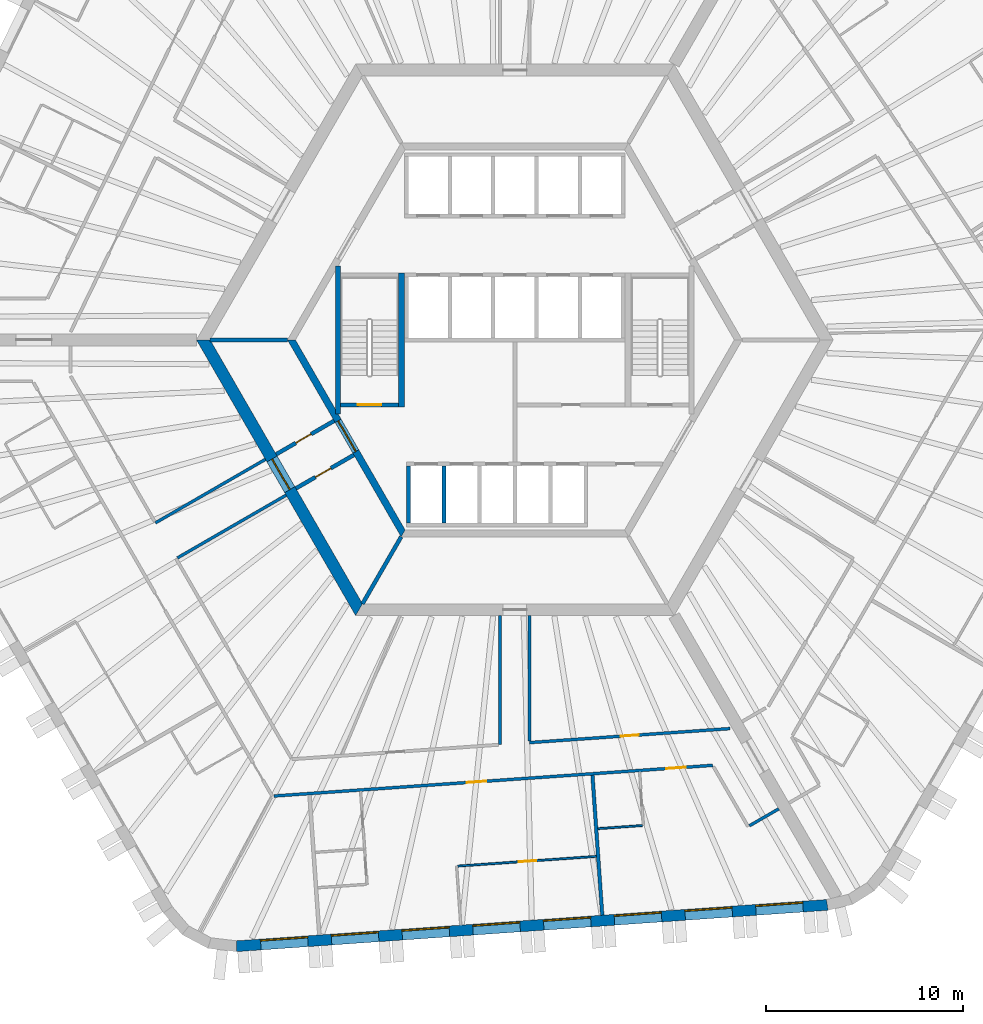
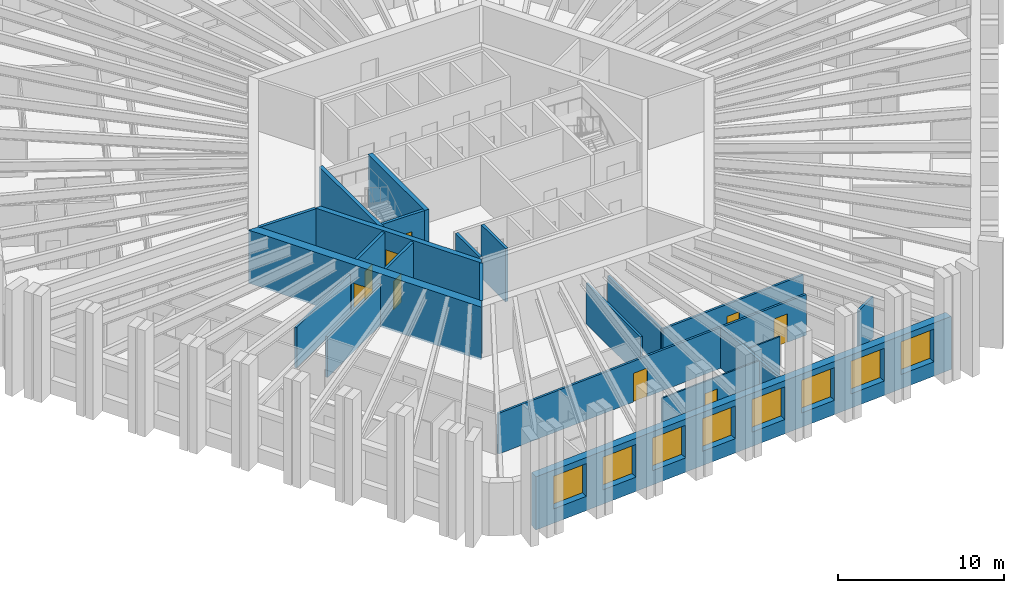
# One storey, part 4 of 13: 22 walls, 9 doors, 8 windows, 17 openings.
"""IFC4 building model written with IfcOpenShell, lengths in metres."""

from ifc_helpers import new_model, si_unit, direction, frame, frame_2d, origin, place, context, subcontext, project, spatial, polyline, rectangle, outline, extrude, material, layer, layer_set, type_object, element, fill, save


model = new_model("IFC4")

# Units and contexts
model_context = context("Model", 3, precision=1e-05, world=origin(), true_north=direction((0.0, 1.0)))
body_context = subcontext(model_context, "Body", "Model", "MODEL_VIEW")
ifc_project = project(units=[si_unit("LENGTHUNIT", "METRE"), si_unit("AREAUNIT", "SQUARE_METRE"), si_unit("VOLUMEUNIT", "CUBIC_METRE"), si_unit("PLANEANGLEUNIT", "RADIAN"), si_unit("MASSUNIT", "GRAM", prefix="KILO")], contexts=[model_context])

# Site, building, storey
site_placement = place(None, origin())
site = spatial("IfcSite", under=ifc_project, at=site_placement, CompositionType="ELEMENT")
building_placement = place(site_placement, origin())
building = spatial("IfcBuilding", under=site, at=building_placement, Name="Tarnside Tower", CompositionType="ELEMENT")
storey_placement = place(building_placement, frame((0.0, 0.0, 92.10009765625)))
storey = spatial("IfcBuildingStorey", under=building, at=storey_placement, Name="L20", CompositionType="ELEMENT", Elevation=92.10009765625)

# Wall
ifc_material_1 = material(Name="Gypsum board partition on steel studs", Category="steel")
ifc_layer_1 = layer(ifc_material_1, 0.10009765625)
ifc_layer_set_1 = layer_set([ifc_layer_1], Name="Bathroom wall 100")
wall_type_1 = type_object("IfcWallType", Name="Bathroom wall 100", PredefinedType="PARTITIONING", material=ifc_layer_set_1)
wall_1_placement = place(storey_placement, frame((6.474853515625, -24.658447265625, 0.0), z_axis=(0.0, 0.0, 1.0), x_axis=(-0.997562351999, -0.069780755754, 0.0)))
element("IfcWall", 1, at=wall_1_placement, inside=storey, type_object=wall_type_1, Name="Bathroom wall 06137", PredefinedType="PARTITIONING", context=body_context, shape_type="SweptSolid", body=[
    extrude(rectangle(XDim=2.26025390625, YDim=0.10009765625, at=frame_2d((1.130126953125, 0.0))), origin(), (0.0, 0.0, 1.0), 2.98779296875),
])

# Wall, opening, door
ifc_material_2 = material(Name="Concrete C50/60", Category="concrete")
ifc_layer_2 = layer(ifc_material_2, 0.35009765625)
ifc_layer_set_2 = layer_set([ifc_layer_2], Name="Core block wall 350 C50/60")
wall_type_2 = type_object("IfcWallType", Name="Core block wall 350 C50/60", PredefinedType="SHEAR", material=ifc_layer_set_2)
wall_2_placement = place(storey_placement, frame((-11.344970703125, 0.0, -0.150146484375), z_axis=(0.0, 0.0, 1.0), x_axis=(0.499995046907, -0.866028263435, 0.0)))
wall_2 = element("IfcWall", 2, at=wall_2_placement, inside=storey, type_object=wall_type_2, Name="L20 core block wall face 3", PredefinedType="SHEAR", context=body_context, shape_type="SweptSolid", body=[
    extrude(outline(polyline([(-0.10107421875, -0.175048828125), (11.44580078125, -0.175048828125), (11.24365234375, 0.175048828125), (0.10107421875, 0.175048828125), (-0.10107421875, -0.175048828125)])), origin(), (0.0, 0.0, 1.0), 3.900146484375),
])
opening_1_placement = place(wall_2_placement, frame((4.74365234375, 0.0, 0.14990234375)))
opening_1 = element("IfcOpeningElement", 3, at=opening_1_placement, cuts=wall_2, Name="Opening CD-FFL", PredefinedType="OPENING", context=body_context, shape_type="SweptSolid", body=[
    extrude(rectangle(XDim=1.800048828125, YDim=2.39990234375, at=frame_2d((0.89990234375, 1.199951171875))), frame((0.0, 0.18505859375, 0.0), z_axis=(0.0, -1.0, 0.0), x_axis=(1.0, 0.0, 0.0)), (0.0, 0.0, 1.0), 0.3701171875),
])
ifc_material_3 = material(Name="Steel fire door", Category="steel")
door_type_1 = type_object("IfcDoorType", Name="Firefighting lobby double door FD60S 1800x2400", OperationType="NOTDEFINED", PredefinedType="DOOR", material=ifc_material_3)
door_1_placement = place(opening_1_placement, origin())
door_1 = element("IfcDoor", 4, at=door_1_placement, inside=storey, type_object=door_type_1, Name="L20 lobby block door P3", OperationType="DOUBLE_DOOR_SINGLE_SWING", OverallHeight=2.39990234375, OverallWidth=1.800048828125, PredefinedType="DOOR", context=body_context, shape_type="SweptSolid", body=[
    extrude(rectangle(XDim=1.800048828125, YDim=2.39990234375, at=frame_2d((0.89990234375, 1.199951171875))), frame((0.0, 0.02490234375, 0.0), z_axis=(0.0, -1.0, 0.0), x_axis=(1.0, 0.0, 0.0)), (0.0, 0.0, 1.0), 0.050048828125),
])
fill(opening_1, door_1)

ifc_material_4 = material(Name="Concrete C40/50", Category="concrete")
ifc_layer_3 = layer(ifc_material_4, 0.199951171875)
ifc_layer_set_3 = layer_set([ifc_layer_3], Name="Core room partition 200 C40/50")
wall_type_3 = type_object("IfcWallType", Name="Core room partition 200 C40/50", PredefinedType="PARTITIONING", material=ifc_layer_set_3)
wall_3_placement = place(storey_placement, frame((-8.1748046875, -5.841064453125, 0.0), z_axis=(0.0, 0.0, 1.0), x_axis=(-0.866020560687, -0.500008388397, 0.0)))
wall_3 = element("IfcWall", 5, at=wall_3_placement, inside=storey, type_object=wall_type_3, Name="L20 core partition AC2L", PredefinedType="PARTITIONING", context=body_context, shape_type="SweptSolid", body=[
    extrude(rectangle(XDim=3.39990234375, YDim=0.199951171875, at=frame_2d((1.699951171875, 0.0))), origin(), (0.0, 0.0, 1.0), 3.64990234375),
])
opening_2_placement = place(wall_3_placement, frame((1.349609375, 0.0, 0.0)))
opening_2 = element("IfcOpeningElement", 6, at=opening_2_placement, cuts=wall_3, Name="Opening CD-room", PredefinedType="OPENING", context=body_context, shape_type="SweptSolid", body=[
    extrude(rectangle(XDim=0.89990234375, YDim=2.10009765625, at=frame_2d((0.449951171875, 1.050048828125))), frame((0.0, 0.10986328125, 0.0), z_axis=(0.0, -1.0, 0.0), x_axis=(1.0, 0.0, 0.0)), (0.0, 0.0, 1.0), 0.219970703125),
])
door_type_2 = type_object("IfcDoorType", Name="Room door FD60 900x2100", OperationType="NOTDEFINED", PredefinedType="DOOR", material=ifc_material_3)
door_2_placement = place(opening_2_placement, origin())
door_2 = element("IfcDoor", 7, at=door_2_placement, inside=storey, type_object=door_type_2, Name="L20 core room door AX2L", OperationType="SINGLE_SWING_LEFT", OverallHeight=2.10009765625, OverallWidth=0.89990234375, PredefinedType="DOOR", context=body_context, shape_type="SweptSolid", body=[
    extrude(rectangle(XDim=0.89990234375, YDim=2.10009765625, at=frame_2d((0.449951171875, 1.050048828125))), frame((0.0, 0.02490234375, 0.0), z_axis=(0.0, -1.0, 0.0), x_axis=(1.0, 0.0, 0.0)), (0.0, 0.0, 1.0), 0.050048828125),
])
fill(opening_2, door_2)

wall_4_placement = place(storey_placement, frame((-9.1748046875, -4.10888671875, 0.0), z_axis=(0.0, 0.0, 1.0), x_axis=(-0.865989465428, -0.500062241894, 0.0)))
wall_4 = element("IfcWall", 8, at=wall_4_placement, inside=storey, type_object=wall_type_3, Name="L20 core partition AC2R", PredefinedType="PARTITIONING", context=body_context, shape_type="SweptSolid", body=[
    extrude(rectangle(XDim=3.39990234375, YDim=0.199951171875, at=frame_2d((1.699951171875, 0.0))), origin(), (0.0, 0.0, 1.0), 3.64990234375),
])
opening_3_placement = place(wall_4_placement, frame((1.3505859375, 0.0, 0.0)))
opening_3 = element("IfcOpeningElement", 9, at=opening_3_placement, cuts=wall_4, Name="Opening CD-room", PredefinedType="OPENING", context=body_context, shape_type="SweptSolid", body=[
    extrude(rectangle(XDim=0.89990234375, YDim=2.10009765625, at=frame_2d((0.449951171875, 1.050048828125))), frame((0.0, 0.10986328125, 0.0), z_axis=(0.0, -1.0, 0.0), x_axis=(1.0, 0.0, 0.0)), (0.0, 0.0, 1.0), 0.219970703125),
])
door_3_placement = place(opening_3_placement, origin())
door_3 = element("IfcDoor", 10, at=door_3_placement, inside=storey, type_object=door_type_2, Name="L20 core room door AX2R", OperationType="SINGLE_SWING_LEFT", OverallHeight=2.10009765625, OverallWidth=0.89990234375, PredefinedType="DOOR", context=body_context, shape_type="SweptSolid", body=[
    extrude(rectangle(XDim=0.89990234375, YDim=2.10009765625, at=frame_2d((0.449951171875, 1.050048828125))), frame((0.0, 0.02490234375, 0.0), z_axis=(0.0, -1.0, 0.0), x_axis=(1.0, 0.0, 0.0)), (0.0, 0.0, 1.0), 0.050048828125),
])
fill(opening_3, door_3)

ifc_material_5 = material(Name="Concrete C80/95", Category="concrete")
ifc_layer_4 = layer(ifc_material_5, 0.60009765625)
ifc_layer_set_4 = layer_set([ifc_layer_4], Name="Core wall Z1 600 C80/95")
wall_type_4 = type_object("IfcWallType", Name="Core wall Z1 600 C80/95", PredefinedType="SHEAR", material=ifc_layer_set_4)
wall_5_placement = place(storey_placement, frame((-15.8193359375, 0.0, -0.150146484375), z_axis=(0.0, 0.0, 1.0), x_axis=(0.499999880136, -0.866025472988, 0.0)))
wall_5 = element("IfcWall", 11, at=wall_5_placement, inside=storey, type_object=wall_type_4, Name="L20 core wall face 3", PredefinedType="SHEAR", context=body_context, shape_type="SweptSolid", body=[
    extrude(outline(polyline([(-0.17333984375, -0.300048828125), (15.99267578125, -0.300048828125), (15.64599609375, 0.300048828125), (0.17333984375, 0.300048828125), (-0.17333984375, -0.300048828125)])), origin(), (0.0, 0.0, 1.0), 3.900146484375),
])
opening_4_placement = place(wall_5_placement, frame((6.980712890625, 0.0, 0.14990234375)))
opening_4 = element("IfcOpeningElement", 12, at=opening_4_placement, cuts=wall_5, Name="Opening CD-FFL", PredefinedType="OPENING", context=body_context, shape_type="SweptSolid", body=[
    extrude(rectangle(XDim=1.800048828125, YDim=2.39990234375, at=frame_2d((0.89990234375, 1.199951171875))), frame((0.0, 0.31005859375, 0.0), z_axis=(0.0, -1.0, 0.0), x_axis=(1.0, 0.0, 0.0)), (0.0, 0.0, 1.0), 0.6201171875),
])
door_4_placement = place(opening_4_placement, origin())
door_4 = element("IfcDoor", 13, at=door_4_placement, inside=storey, type_object=door_type_1, Name="L20 core door P3", OperationType="DOUBLE_DOOR_SINGLE_SWING", OverallHeight=2.39990234375, OverallWidth=1.800048828125, PredefinedType="DOOR", context=body_context, shape_type="SweptSolid", body=[
    extrude(rectangle(XDim=1.800048828125, YDim=2.39990234375, at=frame_2d((0.89990234375, 1.199951171875))), frame((0.0, 0.02490234375, 0.0), z_axis=(0.0, -1.0, 0.0), x_axis=(1.0, 0.0, 0.0)), (0.0, 0.0, 1.0), 0.050048828125),
])
fill(opening_4, door_4)

# Wall, openings, doors
ifc_layer_5 = layer(ifc_material_1, 0.14990234375)
ifc_layer_set_5 = layer_set([ifc_layer_5], Name="Corridor wall 150 EI 60")
wall_type_5 = type_object("IfcWallType", Name="Corridor wall 150 EI 60", PredefinedType="PARTITIONING", material=ifc_layer_set_5)
wall_6_placement = place(storey_placement, frame((-12.234130859375, -23.159912109375, 0.0), z_axis=(0.0, 0.0, 1.0), x_axis=(0.997563845372, 0.069759403714, 0.0)))
wall_6 = element("IfcWall", 14, at=wall_6_placement, inside=storey, type_object=wall_type_5, Name="Corridor wall 06033", PredefinedType="PARTITIONING", context=body_context, shape_type="SweptSolid", body=[
    extrude(rectangle(XDim=22.33544921875, YDim=0.14990234375, at=frame_2d((11.167724609375, 0.0))), origin(), (0.0, 0.0, 1.0), 2.98779296875),
])
opening_5_placement = place(wall_6_placement, frame((9.808837890625, 0.0, 0.0)))
opening_5 = element("IfcOpeningElement", 15, at=opening_5_placement, cuts=wall_6, Name="Opening D-E1", PredefinedType="OPENING", context=body_context, shape_type="SweptSolid", body=[
    extrude(rectangle(XDim=1.0, YDim=2.10009765625, at=frame_2d((0.5, 1.050048828125))), frame((0.0, 0.0849609375, 0.0), z_axis=(0.0, -1.0, 0.0), x_axis=(1.0, 0.0, 0.0)), (0.0, 0.0, 1.0), 0.169921875),
])
opening_6_placement = place(wall_6_placement, frame((19.97216796875, 0.0, 0.0)))
opening_6 = element("IfcOpeningElement", 16, at=opening_6_placement, cuts=wall_6, Name="Opening D-E1", PredefinedType="OPENING", context=body_context, shape_type="SweptSolid", body=[
    extrude(rectangle(XDim=1.0, YDim=2.10009765625, at=frame_2d((0.5, 1.050048828125))), frame((0.0, 0.0849609375, 0.0), z_axis=(0.0, -1.0, 0.0), x_axis=(1.0, 0.0, 0.0)), (0.0, 0.0, 1.0), 0.169921875),
])
ifc_material_6 = material(Name="Timber door leaf", Category="wood")
door_type_3 = type_object("IfcDoorType", Name="Unit entrance door 1000 FD30S", OperationType="NOTDEFINED", PredefinedType="DOOR", material=ifc_material_6)
door_5_placement = place(opening_5_placement, origin())
door_5 = element("IfcDoor", 17, at=door_5_placement, inside=storey, type_object=door_type_3, Name="Unit door 06024", OperationType="SINGLE_SWING_RIGHT", OverallHeight=2.10009765625, OverallWidth=1.0, PredefinedType="DOOR", context=body_context, shape_type="SweptSolid", body=[
    extrude(rectangle(XDim=1.0, YDim=2.10009765625, at=frame_2d((0.5, 1.050048828125))), frame((0.0, 0.02490234375, 0.0), z_axis=(0.0, -1.0, 0.0), x_axis=(1.0, 0.0, 0.0)), (0.0, 0.0, 1.0), 0.050048828125),
])
fill(opening_5, door_5)
door_6_placement = place(opening_6_placement, origin())
door_6 = element("IfcDoor", 18, at=door_6_placement, inside=storey, type_object=door_type_3, Name="Unit door 06028", OperationType="SINGLE_SWING_LEFT", OverallHeight=2.10009765625, OverallWidth=1.0, PredefinedType="DOOR", context=body_context, shape_type="SweptSolid", body=[
    extrude(rectangle(XDim=1.0, YDim=2.10009765625, at=frame_2d((0.5, 1.050048828125))), frame((0.0, 0.02490234375, 0.0), z_axis=(0.0, -1.0, 0.0), x_axis=(1.0, 0.0, 0.0)), (0.0, 0.0, 1.0), 0.050048828125),
])
fill(opening_6, door_6)

# Walls
wall_7_placement = place(storey_placement, frame((11.906494140625, -24.672607421875, 0.0), z_axis=(0.0, 0.0, 1.0), x_axis=(0.866013532718, 0.500020560727, 0.0)))
element("IfcWall", 19, at=wall_7_placement, inside=storey, type_object=wall_type_5, Name="Corridor wall 06038", PredefinedType="PARTITIONING", context=body_context, shape_type="SweptSolid", body=[
    extrude(rectangle(XDim=1.72509765625, YDim=0.14990234375, at=frame_2d((0.862548828125, 0.0))), origin(), (0.0, 0.0, 1.0), 2.98779296875),
])
wall_8_placement = place(storey_placement, frame((-12.663818359375, -6.065673828125, 0.0), z_axis=(0.0, 0.0, 1.0), x_axis=(-0.866021702275, -0.500006411147, 0.0)))
element("IfcWall", 20, at=wall_8_placement, inside=storey, type_object=wall_type_5, Name="Corridor wall 06040", PredefinedType="PARTITIONING", context=body_context, shape_type="SweptSolid", body=[
    extrude(rectangle(XDim=6.4501953125, YDim=0.14990234375, at=frame_2d((3.22509765625, 0.0))), origin(), (0.0, 0.0, 1.0), 2.98779296875),
])
wall_9_placement = place(storey_placement, frame((-0.75, -14.0, 0.0), z_axis=(0.0, 0.0, 1.0), x_axis=(0.0, -1.0, 0.0)))
element("IfcWall", 21, at=wall_9_placement, inside=storey, type_object=wall_type_5, Name="Corridor wall 06043", PredefinedType="PARTITIONING", context=body_context, shape_type="SweptSolid", body=[
    extrude(rectangle(XDim=6.552490234375, YDim=0.14990234375, at=frame_2d((3.2763671875, 0.0))), origin(), (0.0, 0.0, 1.0), 2.98779296875),
])
wall_10_placement = place(storey_placement, frame((-17.134765625, -11.07177734375, 0.0), z_axis=(0.0, 0.0, 1.0), x_axis=(0.866028703517, 0.499994284652, 0.0)))
element("IfcWall", 22, at=wall_10_placement, inside=storey, type_object=wall_type_5, Name="Corridor wall 06047", PredefinedType="PARTITIONING", context=body_context, shape_type="SweptSolid", body=[
    extrude(rectangle(XDim=6.375, YDim=0.14990234375, at=frame_2d((3.1875, 0.0))), origin(), (0.0, 0.0, 1.0), 2.98779296875),
])

# Wall, opening, door
wall_11_placement = place(storey_placement, frame((10.921142578125, -19.736328125, 0.0), z_axis=(0.0, 0.0, 1.0), x_axis=(-0.997564418338, -0.069751209779, 0.0)))
wall_11 = element("IfcWall", 23, at=wall_11_placement, inside=storey, type_object=wall_type_5, Name="Corridor wall 06048", PredefinedType="PARTITIONING", context=body_context, shape_type="SweptSolid", body=[
    extrude(rectangle(XDim=10.196044921875, YDim=0.14990234375, at=frame_2d((5.09814453125, 0.0))), origin(), (0.0, 0.0, 1.0), 2.98779296875),
])
opening_7_placement = place(wall_11_placement, frame((4.64794921875, 0.0, 0.0)))
opening_7 = element("IfcOpeningElement", 24, at=opening_7_placement, cuts=wall_11, Name="Opening D-S1", PredefinedType="OPENING", context=body_context, shape_type="SweptSolid", body=[
    extrude(rectangle(XDim=0.89990234375, YDim=2.10009765625, at=frame_2d((0.449951171875, 1.050048828125))), frame((0.0, 0.0849609375, 0.0), z_axis=(0.0, -1.0, 0.0), x_axis=(1.0, 0.0, 0.0)), (0.0, 0.0, 1.0), 0.169921875),
])
door_type_4 = type_object("IfcDoorType", Name="Service room door 900 FD30S", OperationType="NOTDEFINED", PredefinedType="DOOR", material=ifc_material_6)
door_7_placement = place(opening_7_placement, origin())
door_7 = element("IfcDoor", 25, at=door_7_placement, inside=storey, type_object=door_type_4, Name="Service door 06049", OperationType="SINGLE_SWING_LEFT", OverallHeight=2.10009765625, OverallWidth=0.89990234375, PredefinedType="DOOR", context=body_context, shape_type="SweptSolid", body=[
    extrude(rectangle(XDim=0.89990234375, YDim=2.10009765625, at=frame_2d((0.449951171875, 1.050048828125))), frame((0.0, 0.02490234375, 0.0), z_axis=(0.0, -1.0, 0.0), x_axis=(1.0, 0.0, 0.0)), (0.0, 0.0, 1.0), 0.050048828125),
])
fill(opening_7, door_7)

# Walls
wall_12_placement = place(storey_placement, frame((0.75, -20.372314453125, 0.0), z_axis=(0.0, 0.0, 1.0), x_axis=(0.0, 1.0, 0.0)))
element("IfcWall", 26, at=wall_12_placement, inside=storey, type_object=wall_type_5, Name="Corridor wall 06049", PredefinedType="PARTITIONING", context=body_context, shape_type="SweptSolid", body=[
    extrude(rectangle(XDim=6.372314453125, YDim=0.14990234375, at=frame_2d((3.18603515625, 0.0))), origin(), (0.0, 0.0, 1.0), 2.98779296875),
])
ifc_layer_6 = layer(ifc_material_1, 0.179931640625)
ifc_layer_set_6 = layer_set([ifc_layer_6], Name="Demising wall 180 EI 60")
wall_type_6 = type_object("IfcWallType", Name="Demising wall 180 EI 60", PredefinedType="PARTITIONING", material=ifc_layer_set_6)
wall_13_placement = place(storey_placement, frame((4.4375, -29.211669921875, 0.0), z_axis=(0.0, 0.0, 1.0), x_axis=(-0.069764000094, 0.997563523938, 0.0)))
element("IfcWall", 27, at=wall_13_placement, inside=storey, type_object=wall_type_6, Name="Demising wall 06132", PredefinedType="PARTITIONING", context=body_context, shape_type="SweptSolid", body=[
    extrude(rectangle(XDim=7.125, YDim=0.179931640625, at=frame_2d((3.5625, 0.0))), origin(), (0.0, 0.0, 1.0), 2.98779296875),
])
ifc_layer_7 = layer(ifc_material_4, 0.199951171875)
ifc_layer_set_7 = layer_set([ifc_layer_7], Name="Lift shaft wall 200 C40/50")
wall_type_7 = type_object("IfcWallType", Name="Lift shaft wall 200 C40/50", PredefinedType="SHEAR", material=ifc_layer_set_7)
for number, where, z_axis, x_axis, name in (
    (28, (-5.39990234375, -9.300048828125, -0.25), (0.0, 0.0, 1.0), (0.0, 1.0, 0.0), "L20 lift shaft partition R41"),
    (29, (-3.60009765625, -9.300048828125, -0.25), (0.0, 0.0, 1.0), (0.0, 1.0, 0.0), "L20 lift shaft partition R42"),
):
    element("IfcWall", number, at=place(storey_placement, frame(where, z_axis=z_axis, x_axis=x_axis)), inside=storey, type_object=wall_type_7, Name=name, PredefinedType="SHEAR", context=body_context, shape_type="SweptSolid", body=[
        extrude(rectangle(XDim=2.900146484375, YDim=0.199951171875, at=frame_2d((1.4501953125, 0.0))), origin(), (0.0, 0.0, 1.0), 3.89990234375),
    ])
wall_14_placement = place(storey_placement, frame((-11.547119140625, 0.0, -0.150146484375), z_axis=(0.0, 0.0, 1.0), x_axis=(-1.0, 0.0, 0.0)))
element("IfcWall", 30, at=wall_14_placement, inside=storey, type_object=wall_type_7, Name="L20 core partition AR180", PredefinedType="SHEAR", context=body_context, shape_type="SweptSolid", body=[
    extrude(rectangle(XDim=3.92578125, YDim=0.199951171875, at=frame_2d((1.962890625, 0.0))), origin(), (0.0, 0.0, 1.0), 3.900146484375),
])
wall_15_placement = place(storey_placement, frame((-5.7734375, -10.0, -0.150146484375), z_axis=(0.0, 0.0, 1.0), x_axis=(-0.500038251005, -0.86600331843, 0.0)))
element("IfcWall", 31, at=wall_15_placement, inside=storey, type_object=wall_type_7, Name="L20 core partition AR240", PredefinedType="SHEAR", context=body_context, shape_type="SweptSolid", body=[
    extrude(rectangle(XDim=3.926025390625, YDim=0.199951171875, at=frame_2d((1.962890625, 0.0))), origin(), (0.0, 0.0, 1.0), 3.900146484375),
])

# Wall, opening, door
wall_16_placement = place(storey_placement, frame((-8.85009765625, -3.300048828125, -0.25), z_axis=(0.0, 0.0, 1.0), x_axis=(1.0, 0.0, 0.0)))
wall_16 = element("IfcWall", 32, at=wall_16_placement, inside=storey, type_object=wall_type_7, Name="L20 stair 2 enclosure cap wall s", PredefinedType="SHEAR", context=body_context, shape_type="SweptSolid", body=[
    extrude(rectangle(XDim=2.9501953125, YDim=0.199951171875, at=frame_2d((1.47509765625, 0.0))), origin(), (0.0, 0.0, 1.0), 3.89990234375),
])
opening_8_placement = place(wall_16_placement, frame((0.875, 0.0, 0.25)))
opening_8 = element("IfcOpeningElement", 33, at=opening_8_placement, cuts=wall_16, Name="Opening CD-STR", PredefinedType="OPENING", context=body_context, shape_type="SweptSolid", body=[
    extrude(rectangle(XDim=1.199951171875, YDim=2.39990234375, at=frame_2d((0.60009765625, 1.199951171875))), frame((0.0, 0.10986328125, 0.0), z_axis=(0.0, -1.0, 0.0), x_axis=(1.0, 0.0, 0.0)), (0.0, 0.0, 1.0), 0.219970703125),
])
door_type_5 = type_object("IfcDoorType", Name="Stair door FD60S 1200x2400", OperationType="NOTDEFINED", PredefinedType="DOOR", material=ifc_material_3)
door_8_placement = place(opening_8_placement, origin())
door_8 = element("IfcDoor", 34, at=door_8_placement, inside=storey, type_object=door_type_5, Name="L20 stair 2 door", OperationType="SINGLE_SWING_LEFT", OverallHeight=2.39990234375, OverallWidth=1.199951171875, PredefinedType="DOOR", context=body_context, shape_type="SweptSolid", body=[
    extrude(rectangle(XDim=1.199951171875, YDim=2.39990234375, at=frame_2d((0.60009765625, 1.199951171875))), frame((0.0, 0.02490234375, 0.0), z_axis=(0.0, -1.0, 0.0), x_axis=(1.0, 0.0, 0.0)), (0.0, 0.0, 1.0), 0.050048828125),
])
fill(opening_8, door_8)

ifc_layer_8 = layer(ifc_material_1, 0.10009765625)
ifc_layer_set_8 = layer_set([ifc_layer_8], Name="Partition 100")
wall_type_8 = type_object("IfcWallType", Name="Partition 100", PredefinedType="PARTITIONING", material=ifc_layer_set_8)
wall_17_placement = place(storey_placement, frame((-2.904541015625, -26.7177734375, 0.0), z_axis=(0.0, 0.0, 1.0), x_axis=(0.997562242002, 0.069782328216, 0.0)))
wall_17 = element("IfcWall", 35, at=wall_17_placement, inside=storey, type_object=wall_type_8, Name="Partition wall 06131", PredefinedType="PARTITIONING", context=body_context, shape_type="SweptSolid", body=[
    extrude(rectangle(XDim=7.06005859375, YDim=0.10009765625, at=frame_2d((3.530029296875, 0.0))), origin(), (0.0, 0.0, 1.0), 2.98779296875),
])
opening_9_placement = place(wall_17_placement, frame((3.10009765625, 0.0, 0.0)))
opening_9 = element("IfcOpeningElement", 36, at=opening_9_placement, cuts=wall_17, Name="Opening D-I1", PredefinedType="OPENING", context=body_context, shape_type="SweptSolid", body=[
    extrude(rectangle(XDim=0.89990234375, YDim=2.10009765625, at=frame_2d((0.449951171875, 1.050048828125))), frame((0.0, 0.06005859375, 0.0), z_axis=(0.0, -1.0, 0.0), x_axis=(1.0, 0.0, 0.0)), (0.0, 0.0, 1.0), 0.1201171875),
])
door_type_6 = type_object("IfcDoorType", Name="Internal door 900", OperationType="NOTDEFINED", PredefinedType="DOOR", material=ifc_material_6)
door_9_placement = place(opening_9_placement, origin())
door_9 = element("IfcDoor", 37, at=door_9_placement, inside=storey, type_object=door_type_6, Name="Internal door 06027", OperationType="SINGLE_SWING_RIGHT", OverallHeight=2.10009765625, OverallWidth=0.89990234375, PredefinedType="DOOR", context=body_context, shape_type="SweptSolid", body=[
    extrude(rectangle(XDim=0.89990234375, YDim=2.10009765625, at=frame_2d((0.449951171875, 1.050048828125))), frame((0.0, 0.02490234375, 0.0), z_axis=(0.0, -1.0, 0.0), x_axis=(1.0, 0.0, 0.0)), (0.0, 0.0, 1.0), 0.050048828125),
])
fill(opening_9, door_9)

# Walls
ifc_layer_9 = layer(ifc_material_4, 0.25)
ifc_layer_set_9 = layer_set([ifc_layer_9], Name="Stair enclosure wall 250 C40/50")
wall_type_9 = type_object("IfcWallType", Name="Stair enclosure wall 250 C40/50", PredefinedType="SHEAR", material=ifc_layer_set_9)
wall_18_placement = place(storey_placement, frame((-8.97509765625, -3.7548828125, -0.25), z_axis=(0.0, 0.0, 1.0), x_axis=(0.0, 1.0, 0.0)))
element("IfcWall", 38, at=wall_18_placement, inside=storey, type_object=wall_type_9, Name="L20 stair 2 enclosure wall outer", PredefinedType="SHEAR", context=body_context, shape_type="SweptSolid", body=[
    extrude(rectangle(XDim=7.509765625, YDim=0.25, at=frame_2d((3.7548828125, 0.0))), origin(), (0.0, 0.0, 1.0), 3.89990234375),
])
ifc_layer_10 = layer(ifc_material_4, 0.300048828125)
ifc_layer_set_10 = layer_set([ifc_layer_10], Name="Stair enclosure wall 300 C40/50")
wall_type_10 = type_object("IfcWallType", Name="Stair enclosure wall 300 C40/50", PredefinedType="SHEAR", material=ifc_layer_set_10)
wall_19_placement = place(storey_placement, frame((-5.75, -3.39990234375, -0.25), z_axis=(0.0, 0.0, 1.0), x_axis=(0.0, 1.0, 0.0)))
element("IfcWall", 39, at=wall_19_placement, inside=storey, type_object=wall_type_10, Name="L20 stair 2 enclosure wall inner", PredefinedType="SHEAR", context=body_context, shape_type="SweptSolid", body=[
    extrude(rectangle(XDim=6.7998046875, YDim=0.300048828125, at=frame_2d((3.39990234375, 0.0))), origin(), (0.0, 0.0, 1.0), 3.89990234375),
])

# Wall, openings, windows
ifc_material_7 = material(Name="Facing brick", Category="masonry")
ifc_layer_11 = layer(ifc_material_7, 0.10205078125)
ifc_material_8 = material(Name="Concrete C60/75 precast", Category="concrete")
ifc_layer_12 = layer(ifc_material_8, 0.347900390625)
ifc_material_9 = material(Name="Mineral wool insulation")
ifc_layer_13 = layer(ifc_material_9, 0.10009765625)
ifc_layer_set_11 = layer_set([ifc_layer_11, ifc_layer_12, ifc_layer_13], Name="Tube wall 550 brick faced")
wall_type_11 = type_object("IfcWallType", Name="Tube wall 550 brick faced", PredefinedType="SOLIDWALL", material=ifc_layer_set_11)
wall_20_placement = place(storey_placement, frame((-14.133544921875, -30.785888671875, -0.150146484375), z_axis=(0.0, 0.0, 1.0), x_axis=(0.997564037441, 0.069756657061, 0.0)))
wall_20 = element("IfcWall", 40, at=wall_20_placement, inside=storey, type_object=wall_type_11, Name="Tube wall L20 F4 flush 12", PredefinedType="SOLIDWALL", context=body_context, shape_type="SweptSolid", body=[
    extrude(outline(polyline([(-0.025634765625, -0.27490234375), (30.093505859375, -0.27490234375), (30.048583984375, 0.27490234375), (0.025634765625, 0.27490234375), (-0.025634765625, -0.27490234375)])), origin(), (0.0, 0.0, 1.0), 3.900146484375),
])
opening_10_placement = place(wall_20_placement, frame((1.235595703125, 0.0, 1.050048828125)))
opening_10 = element("IfcOpeningElement", 41, at=opening_10_placement, cuts=wall_20, Name="Opening WH", PredefinedType="OPENING", context=body_context, shape_type="SweptSolid", body=[
    extrude(rectangle(XDim=2.39990234375, YDim=2.39990234375, at=frame_2d((1.199951171875, 1.199951171875))), frame((0.0, 0.28515625, 0.0), z_axis=(0.0, -1.0, 0.0), x_axis=(1.0, 0.0, 0.0)), (0.0, 0.0, 1.0), 0.570068359375),
])
opening_11_placement = place(wall_20_placement, frame((4.83544921875, 0.0, 1.050048828125)))
opening_11 = element("IfcOpeningElement", 42, at=opening_11_placement, cuts=wall_20, Name="Opening WH", PredefinedType="OPENING", context=body_context, shape_type="SweptSolid", body=[
    extrude(rectangle(XDim=2.39990234375, YDim=2.39990234375, at=frame_2d((1.199951171875, 1.199951171875))), frame((0.0, 0.28515625, 0.0), z_axis=(0.0, -1.0, 0.0), x_axis=(1.0, 0.0, 0.0)), (0.0, 0.0, 1.0), 0.570068359375),
])
opening_12_placement = place(wall_20_placement, frame((8.435546875, 0.0, 1.050048828125)))
opening_12 = element("IfcOpeningElement", 43, at=opening_12_placement, cuts=wall_20, Name="Opening WH", PredefinedType="OPENING", context=body_context, shape_type="SweptSolid", body=[
    extrude(rectangle(XDim=2.39990234375, YDim=2.39990234375, at=frame_2d((1.199951171875, 1.199951171875))), frame((0.0, 0.28515625, 0.0), z_axis=(0.0, -1.0, 0.0), x_axis=(1.0, 0.0, 0.0)), (0.0, 0.0, 1.0), 0.570068359375),
])
opening_13_placement = place(wall_20_placement, frame((12.035400390625, 0.0, 1.050048828125)))
opening_13 = element("IfcOpeningElement", 44, at=opening_13_placement, cuts=wall_20, Name="Opening WH", PredefinedType="OPENING", context=body_context, shape_type="SweptSolid", body=[
    extrude(rectangle(XDim=2.39990234375, YDim=2.39990234375, at=frame_2d((1.199951171875, 1.199951171875))), frame((0.0, 0.28515625, 0.0), z_axis=(0.0, -1.0, 0.0), x_axis=(1.0, 0.0, 0.0)), (0.0, 0.0, 1.0), 0.570068359375),
])
opening_14_placement = place(wall_20_placement, frame((15.635498046875, 0.0, 1.050048828125)))
opening_14 = element("IfcOpeningElement", 45, at=opening_14_placement, cuts=wall_20, Name="Opening WH", PredefinedType="OPENING", context=body_context, shape_type="SweptSolid", body=[
    extrude(rectangle(XDim=2.39990234375, YDim=2.39990234375, at=frame_2d((1.199951171875, 1.199951171875))), frame((0.0, 0.28515625, 0.0), z_axis=(0.0, -1.0, 0.0), x_axis=(1.0, 0.0, 0.0)), (0.0, 0.0, 1.0), 0.570068359375),
])
opening_15_placement = place(wall_20_placement, frame((19.235595703125, 0.0, 1.050048828125)))
opening_15 = element("IfcOpeningElement", 46, at=opening_15_placement, cuts=wall_20, Name="Opening WH", PredefinedType="OPENING", context=body_context, shape_type="SweptSolid", body=[
    extrude(rectangle(XDim=2.39990234375, YDim=2.39990234375, at=frame_2d((1.199951171875, 1.199951171875))), frame((0.0, 0.28515625, 0.0), z_axis=(0.0, -1.0, 0.0), x_axis=(1.0, 0.0, 0.0)), (0.0, 0.0, 1.0), 0.570068359375),
])
opening_16_placement = place(wall_20_placement, frame((22.83544921875, 0.0, 1.050048828125)))
opening_16 = element("IfcOpeningElement", 47, at=opening_16_placement, cuts=wall_20, Name="Opening WH", PredefinedType="OPENING", context=body_context, shape_type="SweptSolid", body=[
    extrude(rectangle(XDim=2.39990234375, YDim=2.39990234375, at=frame_2d((1.199951171875, 1.199951171875))), frame((0.0, 0.28515625, 0.0), z_axis=(0.0, -1.0, 0.0), x_axis=(1.0, 0.0, 0.0)), (0.0, 0.0, 1.0), 0.570068359375),
])
opening_17_placement = place(wall_20_placement, frame((26.435546875, 0.0, 1.050048828125)))
opening_17 = element("IfcOpeningElement", 48, at=opening_17_placement, cuts=wall_20, Name="Opening WH", PredefinedType="OPENING", context=body_context, shape_type="SweptSolid", body=[
    extrude(rectangle(XDim=2.39990234375, YDim=2.39990234375, at=frame_2d((1.199951171875, 1.199951171875))), frame((0.0, 0.28515625, 0.0), z_axis=(0.0, -1.0, 0.0), x_axis=(1.0, 0.0, 0.0)), (0.0, 0.0, 1.0), 0.570068359375),
])
ifc_material_10 = material(Name="Aluminium-framed double glazing", Category="aluminium")
window_type = type_object("IfcWindowType", Name="Hotel window 2400 x 2400", PartitioningType="DOUBLE_PANEL_VERTICAL", PredefinedType="WINDOW", material=ifc_material_10)
window_1_placement = place(opening_10_placement, frame((0.0, 0.205078125, 0.0)))
window_1 = element("IfcWindow", 49, at=window_1_placement, inside=storey, type_object=window_type, Name="E.WN.L20.F4.00", OverallHeight=2.39990234375, OverallWidth=2.39990234375, PartitioningType="DOUBLE_PANEL_VERTICAL", PredefinedType="WINDOW", context=body_context, shape_type="SweptSolid", body=[
    extrude(rectangle(XDim=2.39990234375, YDim=2.39990234375, at=frame_2d((1.199951171875, 1.199951171875))), frame((0.0, 0.030029296875, 0.0), z_axis=(0.0, -1.0, 0.0), x_axis=(1.0, 0.0, 0.0)), (0.0, 0.0, 1.0), 0.06005859375),
])
fill(opening_10, window_1)
window_2_placement = place(opening_11_placement, frame((0.0, 0.205078125, 0.0)))
window_2 = element("IfcWindow", 50, at=window_2_placement, inside=storey, type_object=window_type, Name="E.WN.L20.F4.01", OverallHeight=2.39990234375, OverallWidth=2.39990234375, PartitioningType="DOUBLE_PANEL_VERTICAL", PredefinedType="WINDOW", context=body_context, shape_type="SweptSolid", body=[
    extrude(rectangle(XDim=2.39990234375, YDim=2.39990234375, at=frame_2d((1.199951171875, 1.199951171875))), frame((0.0, 0.030029296875, 0.0), z_axis=(0.0, -1.0, 0.0), x_axis=(1.0, 0.0, 0.0)), (0.0, 0.0, 1.0), 0.06005859375),
])
fill(opening_11, window_2)
window_3_placement = place(opening_12_placement, frame((0.0, 0.205078125, 0.0)))
window_3 = element("IfcWindow", 51, at=window_3_placement, inside=storey, type_object=window_type, Name="E.WN.L20.F4.02", OverallHeight=2.39990234375, OverallWidth=2.39990234375, PartitioningType="DOUBLE_PANEL_VERTICAL", PredefinedType="WINDOW", context=body_context, shape_type="SweptSolid", body=[
    extrude(rectangle(XDim=2.39990234375, YDim=2.39990234375, at=frame_2d((1.199951171875, 1.199951171875))), frame((0.0, 0.030029296875, 0.0), z_axis=(0.0, -1.0, 0.0), x_axis=(1.0, 0.0, 0.0)), (0.0, 0.0, 1.0), 0.06005859375),
])
fill(opening_12, window_3)
window_4_placement = place(opening_13_placement, frame((0.0, 0.205078125, 0.0)))
window_4 = element("IfcWindow", 52, at=window_4_placement, inside=storey, type_object=window_type, Name="E.WN.L20.F4.03", OverallHeight=2.39990234375, OverallWidth=2.39990234375, PartitioningType="DOUBLE_PANEL_VERTICAL", PredefinedType="WINDOW", context=body_context, shape_type="SweptSolid", body=[
    extrude(rectangle(XDim=2.39990234375, YDim=2.39990234375, at=frame_2d((1.199951171875, 1.199951171875))), frame((0.0, 0.030029296875, 0.0), z_axis=(0.0, -1.0, 0.0), x_axis=(1.0, 0.0, 0.0)), (0.0, 0.0, 1.0), 0.06005859375),
])
fill(opening_13, window_4)
window_5_placement = place(opening_14_placement, frame((0.0, 0.205078125, 0.0)))
window_5 = element("IfcWindow", 53, at=window_5_placement, inside=storey, type_object=window_type, Name="E.WN.L20.F4.04", OverallHeight=2.39990234375, OverallWidth=2.39990234375, PartitioningType="DOUBLE_PANEL_VERTICAL", PredefinedType="WINDOW", context=body_context, shape_type="SweptSolid", body=[
    extrude(rectangle(XDim=2.39990234375, YDim=2.39990234375, at=frame_2d((1.199951171875, 1.199951171875))), frame((0.0, 0.030029296875, 0.0), z_axis=(0.0, -1.0, 0.0), x_axis=(1.0, 0.0, 0.0)), (0.0, 0.0, 1.0), 0.06005859375),
])
fill(opening_14, window_5)
window_6_placement = place(opening_15_placement, frame((0.0, 0.205078125, 0.0)))
window_6 = element("IfcWindow", 54, at=window_6_placement, inside=storey, type_object=window_type, Name="E.WN.L20.F4.05", OverallHeight=2.39990234375, OverallWidth=2.39990234375, PartitioningType="DOUBLE_PANEL_VERTICAL", PredefinedType="WINDOW", context=body_context, shape_type="SweptSolid", body=[
    extrude(rectangle(XDim=2.39990234375, YDim=2.39990234375, at=frame_2d((1.199951171875, 1.199951171875))), frame((0.0, 0.030029296875, 0.0), z_axis=(0.0, -1.0, 0.0), x_axis=(1.0, 0.0, 0.0)), (0.0, 0.0, 1.0), 0.06005859375),
])
fill(opening_15, window_6)
window_7_placement = place(opening_16_placement, frame((0.0, 0.205078125, 0.0)))
window_7 = element("IfcWindow", 55, at=window_7_placement, inside=storey, type_object=window_type, Name="E.WN.L20.F4.06", OverallHeight=2.39990234375, OverallWidth=2.39990234375, PartitioningType="DOUBLE_PANEL_VERTICAL", PredefinedType="WINDOW", context=body_context, shape_type="SweptSolid", body=[
    extrude(rectangle(XDim=2.39990234375, YDim=2.39990234375, at=frame_2d((1.199951171875, 1.199951171875))), frame((0.0, 0.030029296875, 0.0), z_axis=(0.0, -1.0, 0.0), x_axis=(1.0, 0.0, 0.0)), (0.0, 0.0, 1.0), 0.06005859375),
])
fill(opening_16, window_7)
window_8_placement = place(opening_17_placement, frame((0.0, 0.205078125, 0.0)))
window_8 = element("IfcWindow", 56, at=window_8_placement, inside=storey, type_object=window_type, Name="E.WN.L20.F4.07", OverallHeight=2.39990234375, OverallWidth=2.39990234375, PartitioningType="DOUBLE_PANEL_VERTICAL", PredefinedType="WINDOW", context=body_context, shape_type="SweptSolid", body=[
    extrude(rectangle(XDim=2.39990234375, YDim=2.39990234375, at=frame_2d((1.199951171875, 1.199951171875))), frame((0.0, 0.030029296875, 0.0), z_axis=(0.0, -1.0, 0.0), x_axis=(1.0, 0.0, 0.0)), (0.0, 0.0, 1.0), 0.06005859375),
])
fill(opening_17, window_8)

save(model, "model.ifc")
